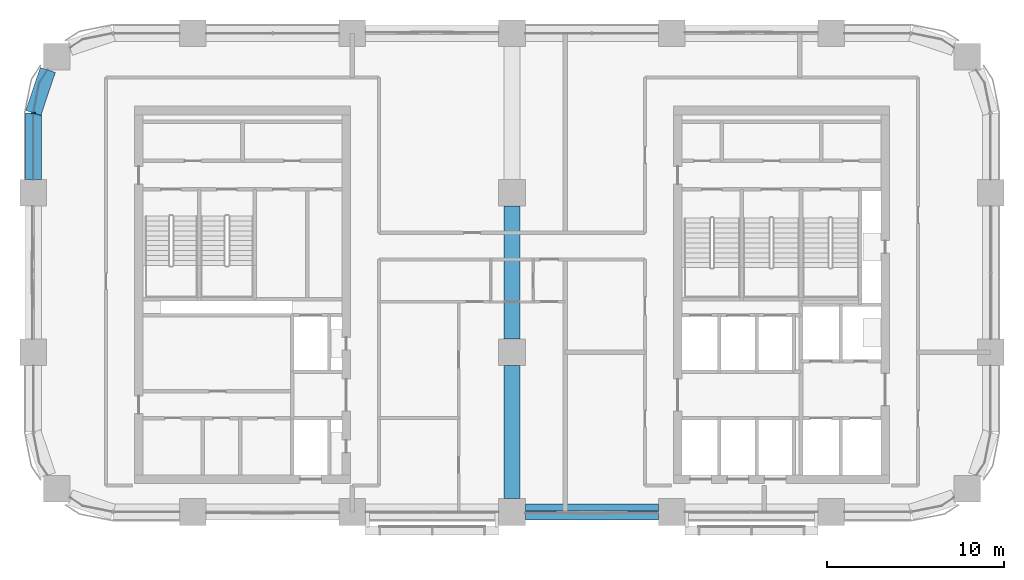
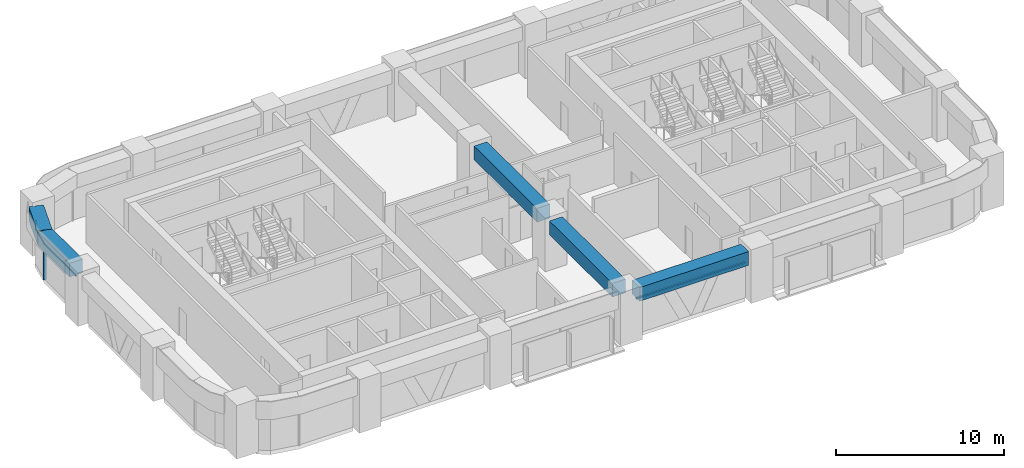
# One storey, part 3 of 13: 5 beams, 3 members, 2 elements without a shape of their own.
"""IFC4 building model written with IfcOpenShell, lengths in metres."""

from ifc_helpers import new_model, si_unit, direction, frame, origin, origin_2d, place, context, subcontext, project, spatial, polyline, rectangle, outline, extrude, material, material_profile, profile_set, type_object, element, aggregate, save


model = new_model("IFC4")

# Units and contexts
model_context = context("Model", 3, precision=1e-05, world=origin(), true_north=direction((0.0, 1.0)))
body_context = subcontext(model_context, "Body", "Model", "MODEL_VIEW")
ifc_project = project(units=[si_unit("LENGTHUNIT", "METRE"), si_unit("AREAUNIT", "SQUARE_METRE"), si_unit("VOLUMEUNIT", "CUBIC_METRE"), si_unit("PLANEANGLEUNIT", "RADIAN"), si_unit("MASSUNIT", "GRAM", prefix="KILO")], contexts=[model_context])

# Site, building, storey
site_placement = place(None, origin())
site = spatial("IfcSite", under=ifc_project, at=site_placement, CompositionType="ELEMENT")
building_placement = place(site_placement, origin())
building = spatial("IfcBuilding", under=site, at=building_placement, Name="Tessera Arch", CompositionType="ELEMENT")
storey_placement = place(building_placement, frame((0.0, 0.0, 158.300048828125)))
storey = spatial("IfcBuildingStorey", under=building, at=storey_placement, Name="L37", CompositionType="ELEMENT", Elevation=158.300048828125)

# Curtain wall, members
ifc_material_1 = material(Name="CW2 curtain wall")
curtain_wall_type_1 = type_object("IfcCurtainWallType", Name="CW2 curtain wall", PredefinedType="NOTDEFINED", material=ifc_material_1)
curtain_wall_1_placement = place(storey_placement, origin())
curtain_wall_1 = element("IfcCurtainWall", 1, at=curtain_wall_1_placement, inside=storey, type_object=curtain_wall_type_1, Name="CW2 curtain wall W0.27/0 L37", PredefinedType="NOTDEFINED")
ifc_material_2 = material(Name="Anodised aluminium pale metal", Category="aluminium")
ifc_material_profile_1 = material_profile(ifc_material_2, rectangle(XDim=0.199951171875, YDim=0.080078125, at=origin_2d()), Name="AL 80x200")
ifc_profile_set_1 = profile_set([ifc_material_profile_1], Name="Anodised aluminium pale metal")
member_type_1 = type_object("IfcMemberType", Name="CW2 mullion", PredefinedType="MULLION", material=ifc_profile_set_1)
member_1_placement = place(storey_placement, frame((0.0, 49.5, 0.0), z_axis=(0.0, 0.0, 1.0), x_axis=(1.0, 0.0, 0.0)))
member_1 = element("IfcMember", 2, at=member_1_placement, type_object=member_type_1, Name="CW2 mullion W0.27/0 1", PredefinedType="MULLION", context=body_context, shape_type="SweptSolid", body=[
    extrude(rectangle(XDim=0.199951171875, YDim=0.080078125, at=origin_2d()), origin(), (0.0, 0.0, 1.0), 2.5),
])
ifc_material_3 = material(Name="Anodised aluminium pale metal", Category="aluminium")
ifc_material_profile_2 = material_profile(ifc_material_3, rectangle(XDim=0.199951171875, YDim=0.10009765625, at=origin_2d()), Name="AL 200x100")
ifc_profile_set_2 = profile_set([ifc_material_profile_2], Name="Anodised aluminium pale metal")
member_type_2 = type_object("IfcMemberType", Name="CW2 transom", PredefinedType="USERDEFINED", material=ifc_profile_set_2)
member_2_placement = place(storey_placement, frame((0.0, 0.0, 2.5)))
member_2 = element("IfcMember", 3, at=member_2_placement, type_object=member_type_2, Name="CW2 transom W0.27/0 1", ObjectType="TRANSOM", PredefinedType="USERDEFINED", context=body_context, shape_type="SweptSolid", body=[
    extrude(outline(polyline([(0.351806640625, 51.21826171875), (0.8251953125, 51.926513671875), (0.80859375, 51.9375), (0.3330078125, 51.22607421875), (-0.010009765625, 49.5009765625), (-0.010009765625, 45.75), (0.010009765625, 45.75), (0.010009765625, 49.4990234375), (0.351806640625, 51.21826171875)])), origin(), (0.0, 0.0, 1.0), 0.099853515625),
])
aggregate(curtain_wall_1, [member_1, member_2])

# Curtain wall, member
ifc_material_4 = material(Name="CW3 curtain wall")
curtain_wall_type_2 = type_object("IfcCurtainWallType", Name="CW3 curtain wall", PredefinedType="NOTDEFINED", material=ifc_material_4)
curtain_wall_2_placement = place(storey_placement, origin())
curtain_wall_2 = element("IfcCurtainWall", 4, at=curtain_wall_2_placement, inside=storey, type_object=curtain_wall_type_2, Name="CW3 curtain wall S27.0/3 L37", PredefinedType="NOTDEFINED")
ifc_material_5 = material(Name="Anodised aluminium pale metal", Category="aluminium")
ifc_material_profile_3 = material_profile(ifc_material_5, rectangle(XDim=0.139892578125, YDim=0.10009765625, at=origin_2d()), Name="AL 140x100")
ifc_profile_set_3 = profile_set([ifc_material_profile_3], Name="Anodised aluminium pale metal")
member_type_3 = type_object("IfcMemberType", Name="CW3 transom", PredefinedType="USERDEFINED", material=ifc_profile_set_3)
member_3_placement = place(storey_placement, frame((27.75, 27.0, 2.550048828125), z_axis=(1.0, 0.0, 0.0), x_axis=(0.0, 1.0, 0.0)))
member_3 = element("IfcMember", 5, at=member_3_placement, type_object=member_type_3, Name="CW3 transom S27.0/3 1.1", ObjectType="TRANSOM", PredefinedType="USERDEFINED", context=body_context, shape_type="SweptSolid", body=[
    extrude(rectangle(XDim=0.139892578125, YDim=0.10009765625, at=origin_2d()), origin(), (0.0, 0.0, 1.0), 7.5),
])
aggregate(curtain_wall_2, [member_3])

# Beams
ifc_material_6 = material(Name="Concrete C70/85", Category="concrete")
ifc_material_profile_4 = material_profile(ifc_material_6, rectangle(XDim=0.89990234375, YDim=1.0, at=origin_2d()), Name="RC spandrel beam 900 x 1000 Concrete C70/85")
ifc_profile_set_4 = profile_set([ifc_material_profile_4], Name="Concrete C70/85")
beam_type = type_object("IfcBeamType", Name="RC spandrel beam 900 x 1000 Concrete C70/85", PredefinedType="BEAM", material=ifc_profile_set_4)
beam_1_placement = place(storey_placement, frame((0.81689453125, 51.931884765625, 3.099853515625), z_axis=(-0.31842525032, -0.947947973234, 0.0), x_axis=(0.947947973234, -0.31842525032, 0.0)))
element("IfcBeam", 6, at=beam_1_placement, inside=storey, type_object=beam_type, Name="Spandrel beam L37 W0.27/0.1", PredefinedType="BEAM", context=body_context, shape_type="SweptSolid", body=[
    extrude(rectangle(XDim=0.89990234375, YDim=1.0, at=origin_2d()), origin(), (0.0, 0.0, 1.0), 2.5654296875),
])
beam_2_placement = place(storey_placement, frame((0.0, 49.5, 3.099853515625), z_axis=(0.0, -1.0, 0.0), x_axis=(1.0, 0.0, 0.0)))
element("IfcBeam", 7, at=beam_2_placement, inside=storey, type_object=beam_type, Name="Spandrel beam L37 W0.27/0.2", PredefinedType="BEAM", context=body_context, shape_type="SweptSolid", body=[
    extrude(rectangle(XDim=0.89990234375, YDim=1.0, at=origin_2d()), origin(), (0.0, 0.0, 1.0), 3.75),
])
for number, where, z_axis, x_axis, name in (
    (8, (27.75, 27.0, 3.099853515625), (1.0, 0.0, 0.0), (0.0, 1.0, 0.0), "Spandrel beam L37 S27.0/3"),
    (9, (27.0, 27.75, 3.099853515625), (0.0, 1.0, 0.0), (-1.0, 0.0, 0.0), "Interface beam L37 I0C4D-C4E"),
    (10, (27.0, 36.75, 3.099853515625), (0.0, 1.0, 0.0), (-1.0, 0.0, 0.0), "Interface beam L37 I0C4E-C4F"),
):
    element("IfcBeam", number, at=place(storey_placement, frame(where, z_axis=z_axis, x_axis=x_axis)), inside=storey, type_object=beam_type, Name=name, PredefinedType="BEAM", context=body_context, shape_type="SweptSolid", body=[
        extrude(rectangle(XDim=0.89990234375, YDim=1.0, at=origin_2d()), origin(), (0.0, 0.0, 1.0), 7.5),
    ])

save(model, "model.ifc")
